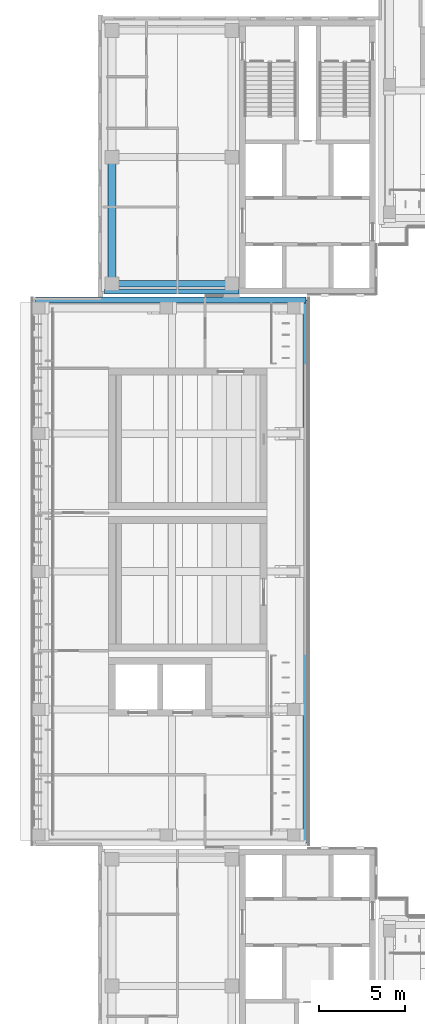
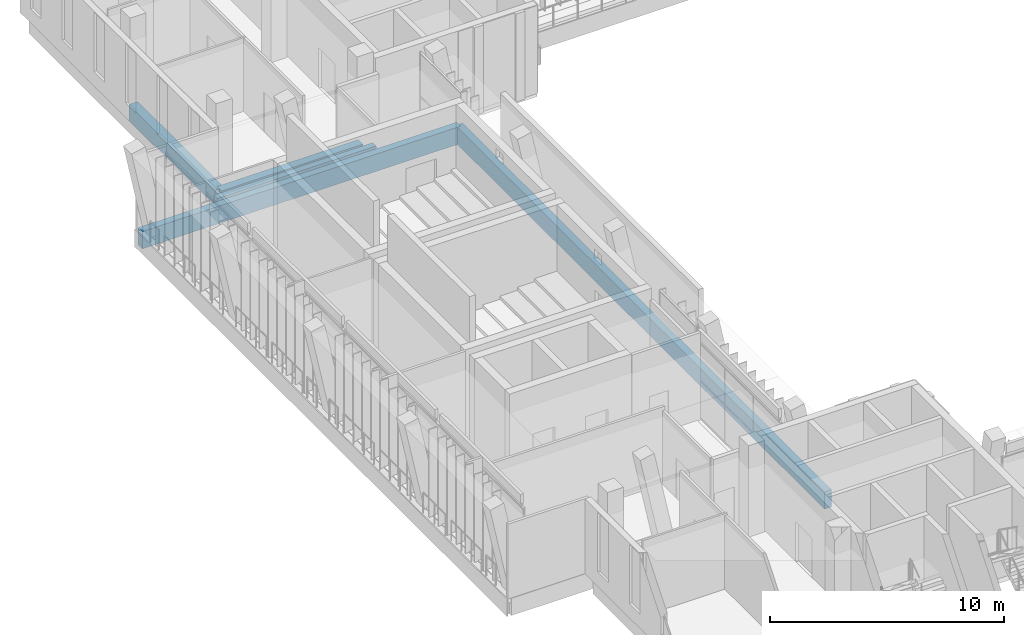
# One storey, part 20 of 74: 5 beams.
"""IFC4 building model written with IfcOpenShell, lengths in metres."""

from ifc_helpers import new_model, si_unit, direction, frame, origin, origin_2d, place, context, subcontext, project, spatial, rectangle, extrude, material, material_profile, profile_set, type_object, element, save


model = new_model("IFC4")

# Units and contexts
model_context = context("Model", 3, precision=1e-05, world=origin(), true_north=direction((0.0, 1.0)))
body_context = subcontext(model_context, "Body", "Model", "MODEL_VIEW")
ifc_project = project(units=[si_unit("LENGTHUNIT", "METRE"), si_unit("AREAUNIT", "SQUARE_METRE"), si_unit("VOLUMEUNIT", "CUBIC_METRE"), si_unit("PLANEANGLEUNIT", "RADIAN"), si_unit("MASSUNIT", "GRAM", prefix="KILO")], contexts=[model_context])

# Site, building, storey
site_placement = place(None, origin())
site = spatial("IfcSite", under=ifc_project, at=site_placement, CompositionType="ELEMENT")
building_placement = place(site_placement, origin())
building = spatial("IfcBuilding", under=site, at=building_placement, Name="Lantern Court Media Centre", CompositionType="ELEMENT")
storey_placement = place(building_placement, frame((0.0, 0.0, 19.199951171875)))
storey = spatial("IfcBuildingStorey", under=building, at=storey_placement, Name="L04", CompositionType="ELEMENT", Elevation=19.199951171875)

# Beams
ifc_material = material(Name="Concrete C35", Category="concrete")
ifc_material_profile_1 = material_profile(ifc_material, rectangle(XDim=0.300048828125, YDim=0.89990234375, at=origin_2d()), Name="RC 300x900")
ifc_profile_set_1 = profile_set([ifc_material_profile_1], Name="Concrete C35")
beam_type_1 = type_object("IfcBeamType", Name="RC BEAM 300x900", PredefinedType="BEAM", material=ifc_profile_set_1)
beam_1_placement = place(storey_placement, frame((8.14990234375, 96.25, -0.449951171875), z_axis=(1.0, 0.0, 0.0), x_axis=(0.0, 1.0, 0.0)))
element("IfcBeam", 1, at=beam_1_placement, inside=storey, type_object=beam_type_1, Name="EB-NW-L04-S", PredefinedType="BEAM", context=body_context, shape_type="SweptSolid", body=[
    extrude(rectangle(XDim=0.300048828125, YDim=0.89990234375, at=origin_2d()), origin(), (0.0, 0.0, 1.0), 7.830078125),
])
ifc_material_profile_2 = material_profile(ifc_material, rectangle(XDim=0.35009765625, YDim=0.89990234375, at=origin_2d()), Name="RC 350x900")
ifc_profile_set_2 = profile_set([ifc_material_profile_2], Name="Concrete C35")
beam_type_2 = type_object("IfcBeamType", Name="RC BEAM 350x900", PredefinedType="BEAM", material=ifc_profile_set_2)
beam_2_placement = place(storey_placement, frame((19.85009765625, 64.25, -0.449951171875), z_axis=(0.0, 1.0, 0.0), x_axis=(-1.0, 0.0, 0.0)))
element("IfcBeam", 2, at=beam_2_placement, inside=storey, type_object=beam_type_2, Name="EB-W-L04-B", PredefinedType="BEAM", context=body_context, shape_type="SweptSolid", body=[
    extrude(rectangle(XDim=0.35009765625, YDim=0.89990234375, at=origin_2d()), origin(), (0.0, 0.0, 1.0), 31.5),
])
beam_3_placement = place(storey_placement, frame((4.14990234375, 95.75, -0.449951171875), z_axis=(1.0, 0.0, 0.0), x_axis=(0.0, 1.0, 0.0)))
element("IfcBeam", 3, at=beam_3_placement, inside=storey, type_object=beam_type_2, Name="EB-W-L04-D", PredefinedType="BEAM", context=body_context, shape_type="SweptSolid", body=[
    extrude(rectangle(XDim=0.35009765625, YDim=0.89990234375, at=origin_2d()), origin(), (0.0, 0.0, 1.0), 15.7001953125),
])
ifc_material_profile_3 = material_profile(ifc_material, rectangle(XDim=0.39990234375, YDim=0.800048828125, at=origin_2d()), Name="RC 400x800")
ifc_profile_set_3 = profile_set([ifc_material_profile_3], Name="Concrete C35")
beam_type_3 = type_object("IfcBeamType", Name="RC BEAM 400x800", PredefinedType="BEAM", material=ifc_profile_set_3)
beam_4_placement = place(storey_placement, frame((8.60009765625, 96.699951171875, -0.39990234375), z_axis=(1.0, 0.0, 0.0), x_axis=(0.0, 1.0, 0.0)))
element("IfcBeam", 4, at=beam_4_placement, inside=storey, type_object=beam_type_3, Name="BB-NW-L04-Y0-96", PredefinedType="BEAM", context=body_context, shape_type="SweptSolid", body=[
    extrude(rectangle(XDim=0.39990234375, YDim=0.800048828125, at=origin_2d()), origin(), (0.0, 0.0, 1.0), 6.949951171875),
])
ifc_material_profile_4 = material_profile(ifc_material, rectangle(XDim=0.449951171875, YDim=0.800048828125, at=origin_2d()), Name="RC 450x800")
ifc_profile_set_4 = profile_set([ifc_material_profile_4], Name="Concrete C35")
beam_type_4 = type_object("IfcBeamType", Name="RC BEAM 450x800", PredefinedType="BEAM", material=ifc_profile_set_4)
beam_5_placement = place(storey_placement, frame((8.60009765625, 96.699951171875, -0.39990234375), z_axis=(0.0, 1.0, 0.0), x_axis=(-1.0, 0.0, 0.0)))
element("IfcBeam", 5, at=beam_5_placement, inside=storey, type_object=beam_type_4, Name="BB-NW-L04-X0-8", PredefinedType="BEAM", context=body_context, shape_type="SweptSolid", body=[
    extrude(rectangle(XDim=0.449951171875, YDim=0.800048828125, at=origin_2d()), origin(), (0.0, 0.0, 1.0), 7.35009765625),
])

save(model, "model.ifc")
